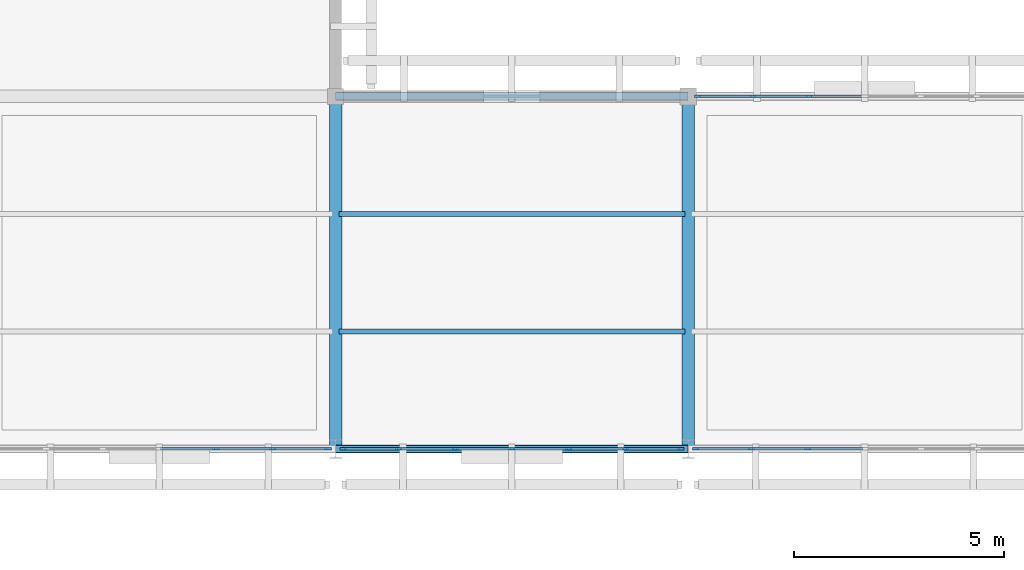
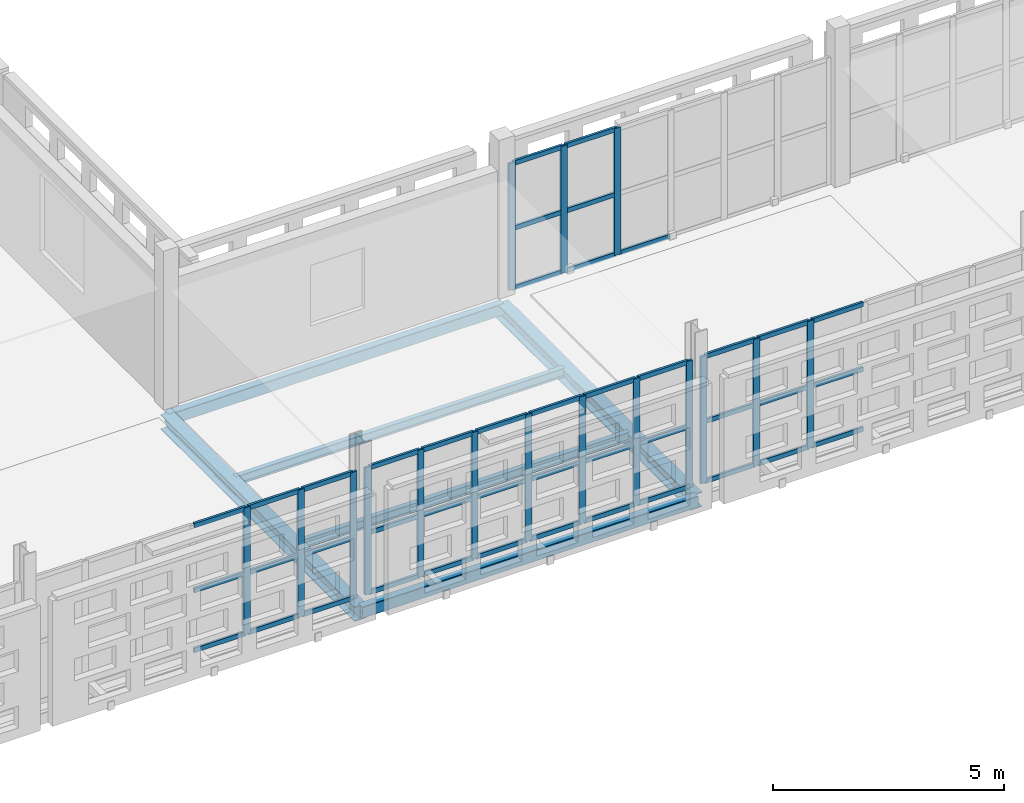
# One storey, part 43 of 166: 59 members, 6 beams, 4 elements without a shape of their own.
"""IFC4 building model written with IfcOpenShell, lengths in metres."""

from ifc_helpers import new_model, si_unit, direction, frame, origin, origin_2d, place, context, subcontext, project, spatial, rectangle, hollow_rectangle, i_section, extrude, material, layer, layer_set, material_profile, profile_set, type_object, element, aggregate, save


model = new_model("IFC4")

# Units and contexts
model_context = context("Model", 3, precision=1e-05, world=origin(), true_north=direction((0.0, 1.0)))
body_context = subcontext(model_context, "Body", "Model", "MODEL_VIEW")
ifc_project = project(units=[si_unit("LENGTHUNIT", "METRE"), si_unit("AREAUNIT", "SQUARE_METRE"), si_unit("VOLUMEUNIT", "CUBIC_METRE"), si_unit("PLANEANGLEUNIT", "RADIAN"), si_unit("MASSUNIT", "GRAM", prefix="KILO")], contexts=[model_context])

# Site, building, storey
site_placement = place(None, origin())
site = spatial("IfcSite", under=ifc_project, at=site_placement, CompositionType="ELEMENT")
building_placement = place(site_placement, origin())
building = spatial("IfcBuilding", under=site, at=building_placement, Name="Varnapada Polytechnic", CompositionType="ELEMENT")
storey_placement = place(building_placement, frame((0.0, 0.0, 9.60009765625)))
storey = spatial("IfcBuildingStorey", under=building, at=storey_placement, Name="L02", CompositionType="ELEMENT", Elevation=9.60009765625)

# Curtain wall, members
ifc_material_1 = material(Name="Double low-E laminated glass", Category="glass")
ifc_layer_1 = layer(ifc_material_1, 0.159912109375)
ifc_layer_set_1 = layer_set([ifc_layer_1], Name="Double low-E laminated glass")
curtain_wall_type_1 = type_object("IfcCurtainWallType", Name="Curtain Wall CW-01", PredefinedType="NOTDEFINED", material=ifc_layer_set_1)
curtain_wall_1_placement = place(storey_placement, origin())
curtain_wall_1 = element("IfcCurtainWall", 1, at=curtain_wall_1_placement, inside=storey, type_object=curtain_wall_type_1, Name="L02 unitised curtain wall CW-01 (162)", PredefinedType="NOTDEFINED")
ifc_material_2 = material(Name="Anodised aluminium", Category="aluminium")
ifc_material_profile_1 = material_profile(ifc_material_2, rectangle(XDim=0.06005859375, YDim=0.159912109375, at=origin_2d()), Name="ALU M60x160")
ifc_profile_set_1 = profile_set([ifc_material_profile_1], Name="Anodised aluminium")
member_type_1 = type_object("IfcMemberType", Name="Mullion M-01", PredefinedType="MULLION", material=ifc_profile_set_1)
member_1_placement = place(storey_placement, frame((67.02001953125, 84.0, 0.0), z_axis=(0.0, 0.0, 1.0), x_axis=(0.0, -1.0, 0.0)))
member_1 = element("IfcMember", 2, at=member_1_placement, type_object=member_type_1, Name="CW-01 mullion 1", PredefinedType="MULLION", context=body_context, shape_type="SweptSolid", body=[
    extrude(rectangle(XDim=0.06005859375, YDim=0.159912109375, at=origin_2d()), origin(), (0.0, 0.0, 1.0), 3.35986328125),
])
member_2_placement = place(storey_placement, frame((65.699951171875, 84.0, 0.0), z_axis=(0.0, 0.0, 1.0), x_axis=(0.0, -1.0, 0.0)))
member_2 = element("IfcMember", 3, at=member_2_placement, type_object=member_type_1, Name="CW-01 mullion 2", PredefinedType="MULLION", context=body_context, shape_type="SweptSolid", body=[
    extrude(rectangle(XDim=0.06005859375, YDim=0.159912109375, at=origin_2d()), origin(), (0.0, 0.0, 1.0), 3.35986328125),
])
member_3_placement = place(storey_placement, frame((64.35009765625, 84.0, 0.0), z_axis=(0.0, 0.0, 1.0), x_axis=(0.0, -1.0, 0.0)))
member_3 = element("IfcMember", 4, at=member_3_placement, type_object=member_type_1, Name="CW-01 mullion 3", PredefinedType="MULLION", context=body_context, shape_type="SweptSolid", body=[
    extrude(rectangle(XDim=0.06005859375, YDim=0.159912109375, at=origin_2d()), origin(), (0.0, 0.0, 1.0), 3.35986328125),
])

curtain_wall_2_placement = place(storey_placement, origin())
curtain_wall_2 = element("IfcCurtainWall", 5, at=curtain_wall_2_placement, inside=storey, type_object=curtain_wall_type_1, Name="L02 unitised curtain wall CW-01 (165)", PredefinedType="NOTDEFINED")
member_4_placement = place(storey_placement, frame((75.419921875, 84.0, 0.0), z_axis=(0.0, 0.0, 1.0), x_axis=(0.0, -1.0, 0.0)))
member_4 = element("IfcMember", 6, at=member_4_placement, type_object=member_type_1, Name="CW-01 mullion 1", PredefinedType="MULLION", context=body_context, shape_type="SweptSolid", body=[
    extrude(rectangle(XDim=0.06005859375, YDim=0.159912109375, at=origin_2d()), origin(), (0.0, 0.0, 1.0), 3.35986328125),
])
member_5_placement = place(storey_placement, frame((74.10009765625, 84.0, 0.0), z_axis=(0.0, 0.0, 1.0), x_axis=(0.0, -1.0, 0.0)))
member_5 = element("IfcMember", 7, at=member_5_placement, type_object=member_type_1, Name="CW-01 mullion 2", PredefinedType="MULLION", context=body_context, shape_type="SweptSolid", body=[
    extrude(rectangle(XDim=0.06005859375, YDim=0.159912109375, at=origin_2d()), origin(), (0.0, 0.0, 1.0), 3.35986328125),
])
member_6_placement = place(storey_placement, frame((72.75, 84.0, 0.0), z_axis=(0.0, 0.0, 1.0), x_axis=(0.0, -1.0, 0.0)))
member_6 = element("IfcMember", 8, at=member_6_placement, type_object=member_type_1, Name="CW-01 mullion 3", PredefinedType="MULLION", context=body_context, shape_type="SweptSolid", body=[
    extrude(rectangle(XDim=0.06005859375, YDim=0.159912109375, at=origin_2d()), origin(), (0.0, 0.0, 1.0), 3.35986328125),
])
member_7_placement = place(storey_placement, frame((71.39990234375, 84.0, 0.0), z_axis=(0.0, 0.0, 1.0), x_axis=(0.0, -1.0, 0.0)))
member_7 = element("IfcMember", 9, at=member_7_placement, type_object=member_type_1, Name="CW-01 mullion 4", PredefinedType="MULLION", context=body_context, shape_type="SweptSolid", body=[
    extrude(rectangle(XDim=0.06005859375, YDim=0.159912109375, at=origin_2d()), origin(), (0.0, 0.0, 1.0), 3.35986328125),
])
member_8_placement = place(storey_placement, frame((70.050048828125, 84.0, 0.0), z_axis=(0.0, 0.0, 1.0), x_axis=(0.0, -1.0, 0.0)))
member_8 = element("IfcMember", 10, at=member_8_placement, type_object=member_type_1, Name="CW-01 mullion 5", PredefinedType="MULLION", context=body_context, shape_type="SweptSolid", body=[
    extrude(rectangle(XDim=0.06005859375, YDim=0.159912109375, at=origin_2d()), origin(), (0.0, 0.0, 1.0), 3.35986328125),
])
member_9_placement = place(storey_placement, frame((68.699951171875, 84.0, 0.0), z_axis=(0.0, 0.0, 1.0), x_axis=(0.0, -1.0, 0.0)))
member_9 = element("IfcMember", 11, at=member_9_placement, type_object=member_type_1, Name="CW-01 mullion 6", PredefinedType="MULLION", context=body_context, shape_type="SweptSolid", body=[
    extrude(rectangle(XDim=0.06005859375, YDim=0.159912109375, at=origin_2d()), origin(), (0.0, 0.0, 1.0), 3.35986328125),
])
member_10_placement = place(storey_placement, frame((67.3798828125, 84.0, 0.0), z_axis=(0.0, 0.0, 1.0), x_axis=(0.0, -1.0, 0.0)))
member_10 = element("IfcMember", 12, at=member_10_placement, type_object=member_type_1, Name="CW-01 mullion 7", PredefinedType="MULLION", context=body_context, shape_type="SweptSolid", body=[
    extrude(rectangle(XDim=0.06005859375, YDim=0.159912109375, at=origin_2d()), origin(), (0.0, 0.0, 1.0), 3.35986328125),
])

curtain_wall_3_placement = place(storey_placement, origin())
curtain_wall_3 = element("IfcCurtainWall", 13, at=curtain_wall_3_placement, inside=storey, type_object=curtain_wall_type_1, Name="L02 unitised curtain wall CW-01 (166)", PredefinedType="NOTDEFINED")
member_11_placement = place(storey_placement, frame((78.449951171875, 84.0, 0.0), z_axis=(0.0, 0.0, 1.0), x_axis=(0.0, -1.0, 0.0)))
member_11 = element("IfcMember", 14, at=member_11_placement, type_object=member_type_1, Name="CW-01 mullion 5", PredefinedType="MULLION", context=body_context, shape_type="SweptSolid", body=[
    extrude(rectangle(XDim=0.06005859375, YDim=0.159912109375, at=origin_2d()), origin(), (0.0, 0.0, 1.0), 3.35986328125),
])
member_12_placement = place(storey_placement, frame((77.10009765625, 84.0, 0.0), z_axis=(0.0, 0.0, 1.0), x_axis=(0.0, -1.0, 0.0)))
member_12 = element("IfcMember", 15, at=member_12_placement, type_object=member_type_1, Name="CW-01 mullion 6", PredefinedType="MULLION", context=body_context, shape_type="SweptSolid", body=[
    extrude(rectangle(XDim=0.06005859375, YDim=0.159912109375, at=origin_2d()), origin(), (0.0, 0.0, 1.0), 3.35986328125),
])
member_13_placement = place(storey_placement, frame((75.780029296875, 84.0, 0.0), z_axis=(0.0, 0.0, 1.0), x_axis=(0.0, -1.0, 0.0)))
member_13 = element("IfcMember", 16, at=member_13_placement, type_object=member_type_1, Name="CW-01 mullion 7", PredefinedType="MULLION", context=body_context, shape_type="SweptSolid", body=[
    extrude(rectangle(XDim=0.06005859375, YDim=0.159912109375, at=origin_2d()), origin(), (0.0, 0.0, 1.0), 3.35986328125),
])

ifc_layer_2 = layer(ifc_material_1, 0.159912109375)
ifc_layer_set_2 = layer_set([ifc_layer_2], Name="Double low-E laminated glass")
curtain_wall_type_2 = type_object("IfcCurtainWallType", Name="Curtain Wall CW-02", PredefinedType="NOTDEFINED", material=ifc_layer_set_2)
curtain_wall_4_placement = place(storey_placement, origin())
curtain_wall_4 = element("IfcCurtainWall", 17, at=curtain_wall_4_placement, inside=storey, type_object=curtain_wall_type_2, Name="L02 unitised curtain wall CW-02 (167)", PredefinedType="NOTDEFINED")
member_14_placement = place(storey_placement, frame((75.830078125, 92.39990234375, 0.0), z_axis=(0.0, 0.0, 1.0), x_axis=(0.0, 1.0, 0.0)))
member_14 = element("IfcMember", 18, at=member_14_placement, type_object=member_type_1, Name="CW-02 mullion 1", PredefinedType="MULLION", context=body_context, shape_type="SweptSolid", body=[
    extrude(rectangle(XDim=0.06005859375, YDim=0.159912109375, at=origin_2d()), origin(), (0.0, 0.0, 1.0), 3.35986328125),
])
member_15_placement = place(storey_placement, frame((77.135009765625, 92.39990234375, 0.0), z_axis=(0.0, 0.0, 1.0), x_axis=(0.0, 1.0, 0.0)))
member_15 = element("IfcMember", 19, at=member_15_placement, type_object=member_type_1, Name="CW-02 mullion 2", PredefinedType="MULLION", context=body_context, shape_type="SweptSolid", body=[
    extrude(rectangle(XDim=0.06005859375, YDim=0.159912109375, at=origin_2d()), origin(), (0.0, 0.0, 1.0), 3.35986328125),
])
member_16_placement = place(storey_placement, frame((78.469970703125, 92.39990234375, 0.0), z_axis=(0.0, 0.0, 1.0), x_axis=(0.0, 1.0, 0.0)))
member_16 = element("IfcMember", 20, at=member_16_placement, type_object=member_type_1, Name="CW-02 mullion 3", PredefinedType="MULLION", context=body_context, shape_type="SweptSolid", body=[
    extrude(rectangle(XDim=0.06005859375, YDim=0.159912109375, at=origin_2d()), origin(), (0.0, 0.0, 1.0), 3.35986328125),
])

# Beams
ifc_material_3 = material(Name="Steel S355", Category="steel")
ifc_material_profile_2 = material_profile(ifc_material_3, i_section(OverallWidth=0.300048828125, OverallDepth=0.389892578125, WebThickness=0.010986328125, FlangeThickness=0.01904296875, FilletRadius=0.027099609375, at=origin_2d()), Name="HEA 400")
ifc_profile_set_2 = profile_set([ifc_material_profile_2], Name="Steel S355")
beam_type_1 = type_object("IfcBeamType", Name="Steel roof primary girder SG-01 (HEA 400)", PredefinedType="BEAM", material=ifc_profile_set_2)
for number, where, z_axis, x_axis, name in (
    (21, (67.199951171875, 84.0, -0.43505859375), (0.0, 1.0, 0.0), (-1.0, 0.0, 0.0), "L02 beam Y 11-12 at X9"),
    (22, (75.60009765625, 84.0, -0.43505859375), (0.0, 1.0, 0.0), (-1.0, 0.0, 0.0), "L02 beam Y 11-12 at X10"),
):
    element("IfcBeam", number, at=place(storey_placement, frame(where, z_axis=z_axis, x_axis=x_axis)), inside=storey, type_object=beam_type_1, Name=name, PredefinedType="BEAM", context=body_context, shape_type="SweptSolid", body=[
        extrude(i_section(OverallWidth=0.300048828125, OverallDepth=0.389892578125, WebThickness=0.010986328125, FlangeThickness=0.01904296875, FilletRadius=0.027099609375, at=origin_2d()), origin(), (0.0, 0.0, 1.0), 8.39990234375),
    ])

# Member
ifc_material_profile_3 = material_profile(ifc_material_2, rectangle(XDim=0.06005859375, YDim=0.1201171875, at=origin_2d()), Name="ALU T60x120")
ifc_profile_set_3 = profile_set([ifc_material_profile_3], Name="Anodised aluminium")
member_type_2 = type_object("IfcMemberType", Name="Transom T-01", PredefinedType="USERDEFINED", material=ifc_profile_set_3)
member_17_placement = place(storey_placement, frame((66.989990234375, 84.0, 0.02978515625), z_axis=(-1.0, 0.0, 0.0), x_axis=(0.0, -1.0, 0.0)))
member_17 = element("IfcMember", 23, at=member_17_placement, type_object=member_type_2, Name="CW-01 transom 1.1", ObjectType="TRANSOM", PredefinedType="USERDEFINED", context=body_context, shape_type="SweptSolid", body=[
    extrude(rectangle(XDim=0.06005859375, YDim=0.1201171875, at=origin_2d()), origin(), (0.0, 0.0, 1.0), 1.260009765625),
])

member_18_placement = place(storey_placement, frame((66.989990234375, 84.0, 1.61279296875), z_axis=(-1.0, 0.0, 0.0), x_axis=(0.0, -1.0, 0.0)))
member_18 = element("IfcMember", 24, at=member_18_placement, type_object=member_type_2, Name="CW-01 transom 1.2", ObjectType="TRANSOM", PredefinedType="USERDEFINED", context=body_context, shape_type="SweptSolid", body=[
    extrude(rectangle(XDim=0.06005859375, YDim=0.1201171875, at=origin_2d()), origin(), (0.0, 0.0, 1.0), 1.260009765625),
])

member_19_placement = place(storey_placement, frame((66.989990234375, 84.0, 3.329833984375), z_axis=(-1.0, 0.0, 0.0), x_axis=(0.0, -1.0, 0.0)))
member_19 = element("IfcMember", 25, at=member_19_placement, type_object=member_type_2, Name="CW-01 transom 1.3", ObjectType="TRANSOM", PredefinedType="USERDEFINED", context=body_context, shape_type="SweptSolid", body=[
    extrude(rectangle(XDim=0.06005859375, YDim=0.1201171875, at=origin_2d()), origin(), (0.0, 0.0, 1.0), 1.260009765625),
])

member_20_placement = place(storey_placement, frame((65.669921875, 84.0, 0.02978515625), z_axis=(-1.0, 0.0, 0.0), x_axis=(0.0, -1.0, 0.0)))
member_20 = element("IfcMember", 26, at=member_20_placement, type_object=member_type_2, Name="CW-01 transom 2.1", ObjectType="TRANSOM", PredefinedType="USERDEFINED", context=body_context, shape_type="SweptSolid", body=[
    extrude(rectangle(XDim=0.06005859375, YDim=0.1201171875, at=origin_2d()), origin(), (0.0, 0.0, 1.0), 1.2900390625),
])

member_21_placement = place(storey_placement, frame((65.669921875, 84.0, 1.61279296875), z_axis=(-1.0, 0.0, 0.0), x_axis=(0.0, -1.0, 0.0)))
member_21 = element("IfcMember", 27, at=member_21_placement, type_object=member_type_2, Name="CW-01 transom 2.2", ObjectType="TRANSOM", PredefinedType="USERDEFINED", context=body_context, shape_type="SweptSolid", body=[
    extrude(rectangle(XDim=0.06005859375, YDim=0.1201171875, at=origin_2d()), origin(), (0.0, 0.0, 1.0), 1.2900390625),
])

member_22_placement = place(storey_placement, frame((65.669921875, 84.0, 3.329833984375), z_axis=(-1.0, 0.0, 0.0), x_axis=(0.0, -1.0, 0.0)))
member_22 = element("IfcMember", 28, at=member_22_placement, type_object=member_type_2, Name="CW-01 transom 2.3", ObjectType="TRANSOM", PredefinedType="USERDEFINED", context=body_context, shape_type="SweptSolid", body=[
    extrude(rectangle(XDim=0.06005859375, YDim=0.1201171875, at=origin_2d()), origin(), (0.0, 0.0, 1.0), 1.2900390625),
])

member_23_placement = place(storey_placement, frame((64.320068359375, 84.0, 0.02978515625), z_axis=(-1.0, 0.0, 0.0), x_axis=(0.0, -1.0, 0.0)))
member_23 = element("IfcMember", 29, at=member_23_placement, type_object=member_type_2, Name="CW-01 transom 3.1", ObjectType="TRANSOM", PredefinedType="USERDEFINED", context=body_context, shape_type="SweptSolid", body=[
    extrude(rectangle(XDim=0.06005859375, YDim=0.1201171875, at=origin_2d()), origin(), (0.0, 0.0, 1.0), 1.2900390625),
])

member_24_placement = place(storey_placement, frame((64.320068359375, 84.0, 1.61279296875), z_axis=(-1.0, 0.0, 0.0), x_axis=(0.0, -1.0, 0.0)))
member_24 = element("IfcMember", 30, at=member_24_placement, type_object=member_type_2, Name="CW-01 transom 3.2", ObjectType="TRANSOM", PredefinedType="USERDEFINED", context=body_context, shape_type="SweptSolid", body=[
    extrude(rectangle(XDim=0.06005859375, YDim=0.1201171875, at=origin_2d()), origin(), (0.0, 0.0, 1.0), 1.2900390625),
])

member_25_placement = place(storey_placement, frame((64.320068359375, 84.0, 3.329833984375), z_axis=(-1.0, 0.0, 0.0), x_axis=(0.0, -1.0, 0.0)))
member_25 = element("IfcMember", 31, at=member_25_placement, type_object=member_type_2, Name="CW-01 transom 3.3", ObjectType="TRANSOM", PredefinedType="USERDEFINED", context=body_context, shape_type="SweptSolid", body=[
    extrude(rectangle(XDim=0.06005859375, YDim=0.1201171875, at=origin_2d()), origin(), (0.0, 0.0, 1.0), 1.2900390625),
])

aggregate(curtain_wall_1, [member_1, member_2, member_3, member_17, member_18, member_19, member_20, member_21, member_22, member_23, member_24, member_25])

member_26_placement = place(storey_placement, frame((75.389892578125, 84.0, 0.02978515625), z_axis=(-1.0, 0.0, 0.0), x_axis=(0.0, -1.0, 0.0)))
member_26 = element("IfcMember", 32, at=member_26_placement, type_object=member_type_2, Name="CW-01 transom 1.1", ObjectType="TRANSOM", PredefinedType="USERDEFINED", context=body_context, shape_type="SweptSolid", body=[
    extrude(rectangle(XDim=0.06005859375, YDim=0.1201171875, at=origin_2d()), origin(), (0.0, 0.0, 1.0), 1.260009765625),
])

member_27_placement = place(storey_placement, frame((75.389892578125, 84.0, 1.61279296875), z_axis=(-1.0, 0.0, 0.0), x_axis=(0.0, -1.0, 0.0)))
member_27 = element("IfcMember", 33, at=member_27_placement, type_object=member_type_2, Name="CW-01 transom 1.2", ObjectType="TRANSOM", PredefinedType="USERDEFINED", context=body_context, shape_type="SweptSolid", body=[
    extrude(rectangle(XDim=0.06005859375, YDim=0.1201171875, at=origin_2d()), origin(), (0.0, 0.0, 1.0), 1.260009765625),
])

member_28_placement = place(storey_placement, frame((75.389892578125, 84.0, 3.329833984375), z_axis=(-1.0, 0.0, 0.0), x_axis=(0.0, -1.0, 0.0)))
member_28 = element("IfcMember", 34, at=member_28_placement, type_object=member_type_2, Name="CW-01 transom 1.3", ObjectType="TRANSOM", PredefinedType="USERDEFINED", context=body_context, shape_type="SweptSolid", body=[
    extrude(rectangle(XDim=0.06005859375, YDim=0.1201171875, at=origin_2d()), origin(), (0.0, 0.0, 1.0), 1.260009765625),
])

member_29_placement = place(storey_placement, frame((74.070068359375, 84.0, 0.02978515625), z_axis=(-1.0, 0.0, 0.0), x_axis=(0.0, -1.0, 0.0)))
member_29 = element("IfcMember", 35, at=member_29_placement, type_object=member_type_2, Name="CW-01 transom 2.1", ObjectType="TRANSOM", PredefinedType="USERDEFINED", context=body_context, shape_type="SweptSolid", body=[
    extrude(rectangle(XDim=0.06005859375, YDim=0.1201171875, at=origin_2d()), origin(), (0.0, 0.0, 1.0), 1.2900390625),
])

member_30_placement = place(storey_placement, frame((74.070068359375, 84.0, 1.61279296875), z_axis=(-1.0, 0.0, 0.0), x_axis=(0.0, -1.0, 0.0)))
member_30 = element("IfcMember", 36, at=member_30_placement, type_object=member_type_2, Name="CW-01 transom 2.2", ObjectType="TRANSOM", PredefinedType="USERDEFINED", context=body_context, shape_type="SweptSolid", body=[
    extrude(rectangle(XDim=0.06005859375, YDim=0.1201171875, at=origin_2d()), origin(), (0.0, 0.0, 1.0), 1.2900390625),
])

member_31_placement = place(storey_placement, frame((74.070068359375, 84.0, 3.329833984375), z_axis=(-1.0, 0.0, 0.0), x_axis=(0.0, -1.0, 0.0)))
member_31 = element("IfcMember", 37, at=member_31_placement, type_object=member_type_2, Name="CW-01 transom 2.3", ObjectType="TRANSOM", PredefinedType="USERDEFINED", context=body_context, shape_type="SweptSolid", body=[
    extrude(rectangle(XDim=0.06005859375, YDim=0.1201171875, at=origin_2d()), origin(), (0.0, 0.0, 1.0), 1.2900390625),
])

member_32_placement = place(storey_placement, frame((72.719970703125, 84.0, 0.02978515625), z_axis=(-1.0, 0.0, 0.0), x_axis=(0.0, -1.0, 0.0)))
member_32 = element("IfcMember", 38, at=member_32_placement, type_object=member_type_2, Name="CW-01 transom 3.1", ObjectType="TRANSOM", PredefinedType="USERDEFINED", context=body_context, shape_type="SweptSolid", body=[
    extrude(rectangle(XDim=0.06005859375, YDim=0.1201171875, at=origin_2d()), origin(), (0.0, 0.0, 1.0), 1.2900390625),
])

member_33_placement = place(storey_placement, frame((72.719970703125, 84.0, 1.61279296875), z_axis=(-1.0, 0.0, 0.0), x_axis=(0.0, -1.0, 0.0)))
member_33 = element("IfcMember", 39, at=member_33_placement, type_object=member_type_2, Name="CW-01 transom 3.2", ObjectType="TRANSOM", PredefinedType="USERDEFINED", context=body_context, shape_type="SweptSolid", body=[
    extrude(rectangle(XDim=0.06005859375, YDim=0.1201171875, at=origin_2d()), origin(), (0.0, 0.0, 1.0), 1.2900390625),
])

member_34_placement = place(storey_placement, frame((72.719970703125, 84.0, 3.329833984375), z_axis=(-1.0, 0.0, 0.0), x_axis=(0.0, -1.0, 0.0)))
member_34 = element("IfcMember", 40, at=member_34_placement, type_object=member_type_2, Name="CW-01 transom 3.3", ObjectType="TRANSOM", PredefinedType="USERDEFINED", context=body_context, shape_type="SweptSolid", body=[
    extrude(rectangle(XDim=0.06005859375, YDim=0.1201171875, at=origin_2d()), origin(), (0.0, 0.0, 1.0), 1.2900390625),
])

member_35_placement = place(storey_placement, frame((71.3701171875, 84.0, 0.02978515625), z_axis=(-1.0, 0.0, 0.0), x_axis=(0.0, -1.0, 0.0)))
member_35 = element("IfcMember", 41, at=member_35_placement, type_object=member_type_2, Name="CW-01 transom 4.1", ObjectType="TRANSOM", PredefinedType="USERDEFINED", context=body_context, shape_type="SweptSolid", body=[
    extrude(rectangle(XDim=0.06005859375, YDim=0.1201171875, at=origin_2d()), origin(), (0.0, 0.0, 1.0), 1.2900390625),
])

member_36_placement = place(storey_placement, frame((71.3701171875, 84.0, 1.61279296875), z_axis=(-1.0, 0.0, 0.0), x_axis=(0.0, -1.0, 0.0)))
member_36 = element("IfcMember", 42, at=member_36_placement, type_object=member_type_2, Name="CW-01 transom 4.2", ObjectType="TRANSOM", PredefinedType="USERDEFINED", context=body_context, shape_type="SweptSolid", body=[
    extrude(rectangle(XDim=0.06005859375, YDim=0.1201171875, at=origin_2d()), origin(), (0.0, 0.0, 1.0), 1.2900390625),
])

member_37_placement = place(storey_placement, frame((71.3701171875, 84.0, 3.329833984375), z_axis=(-1.0, 0.0, 0.0), x_axis=(0.0, -1.0, 0.0)))
member_37 = element("IfcMember", 43, at=member_37_placement, type_object=member_type_2, Name="CW-01 transom 4.3", ObjectType="TRANSOM", PredefinedType="USERDEFINED", context=body_context, shape_type="SweptSolid", body=[
    extrude(rectangle(XDim=0.06005859375, YDim=0.1201171875, at=origin_2d()), origin(), (0.0, 0.0, 1.0), 1.2900390625),
])

member_38_placement = place(storey_placement, frame((70.02001953125, 84.0, 0.02978515625), z_axis=(-1.0, 0.0, 0.0), x_axis=(0.0, -1.0, 0.0)))
member_38 = element("IfcMember", 44, at=member_38_placement, type_object=member_type_2, Name="CW-01 transom 5.1", ObjectType="TRANSOM", PredefinedType="USERDEFINED", context=body_context, shape_type="SweptSolid", body=[
    extrude(rectangle(XDim=0.06005859375, YDim=0.1201171875, at=origin_2d()), origin(), (0.0, 0.0, 1.0), 1.2900390625),
])

member_39_placement = place(storey_placement, frame((70.02001953125, 84.0, 1.61279296875), z_axis=(-1.0, 0.0, 0.0), x_axis=(0.0, -1.0, 0.0)))
member_39 = element("IfcMember", 45, at=member_39_placement, type_object=member_type_2, Name="CW-01 transom 5.2", ObjectType="TRANSOM", PredefinedType="USERDEFINED", context=body_context, shape_type="SweptSolid", body=[
    extrude(rectangle(XDim=0.06005859375, YDim=0.1201171875, at=origin_2d()), origin(), (0.0, 0.0, 1.0), 1.2900390625),
])

member_40_placement = place(storey_placement, frame((70.02001953125, 84.0, 3.329833984375), z_axis=(-1.0, 0.0, 0.0), x_axis=(0.0, -1.0, 0.0)))
member_40 = element("IfcMember", 46, at=member_40_placement, type_object=member_type_2, Name="CW-01 transom 5.3", ObjectType="TRANSOM", PredefinedType="USERDEFINED", context=body_context, shape_type="SweptSolid", body=[
    extrude(rectangle(XDim=0.06005859375, YDim=0.1201171875, at=origin_2d()), origin(), (0.0, 0.0, 1.0), 1.2900390625),
])

member_41_placement = place(storey_placement, frame((68.669921875, 84.0, 0.02978515625), z_axis=(-1.0, 0.0, 0.0), x_axis=(0.0, -1.0, 0.0)))
member_41 = element("IfcMember", 47, at=member_41_placement, type_object=member_type_2, Name="CW-01 transom 6.1", ObjectType="TRANSOM", PredefinedType="USERDEFINED", context=body_context, shape_type="SweptSolid", body=[
    extrude(rectangle(XDim=0.06005859375, YDim=0.1201171875, at=origin_2d()), origin(), (0.0, 0.0, 1.0), 1.260009765625),
])

member_42_placement = place(storey_placement, frame((68.669921875, 84.0, 1.61279296875), z_axis=(-1.0, 0.0, 0.0), x_axis=(0.0, -1.0, 0.0)))
member_42 = element("IfcMember", 48, at=member_42_placement, type_object=member_type_2, Name="CW-01 transom 6.2", ObjectType="TRANSOM", PredefinedType="USERDEFINED", context=body_context, shape_type="SweptSolid", body=[
    extrude(rectangle(XDim=0.06005859375, YDim=0.1201171875, at=origin_2d()), origin(), (0.0, 0.0, 1.0), 1.260009765625),
])

member_43_placement = place(storey_placement, frame((68.669921875, 84.0, 3.329833984375), z_axis=(-1.0, 0.0, 0.0), x_axis=(0.0, -1.0, 0.0)))
member_43 = element("IfcMember", 49, at=member_43_placement, type_object=member_type_2, Name="CW-01 transom 6.3", ObjectType="TRANSOM", PredefinedType="USERDEFINED", context=body_context, shape_type="SweptSolid", body=[
    extrude(rectangle(XDim=0.06005859375, YDim=0.1201171875, at=origin_2d()), origin(), (0.0, 0.0, 1.0), 1.260009765625),
])

aggregate(curtain_wall_2, [member_4, member_5, member_6, member_7, member_8, member_9, member_10, member_26, member_27, member_28, member_29, member_30, member_31, member_32, member_33, member_34, member_35, member_36, member_37, member_38, member_39, member_40, member_41, member_42, member_43])

member_44_placement = place(storey_placement, frame((79.77001953125, 84.0, 0.02978515625), z_axis=(-1.0, 0.0, 0.0), x_axis=(0.0, -1.0, 0.0)))
member_44 = element("IfcMember", 50, at=member_44_placement, type_object=member_type_2, Name="CW-01 transom 4.1", ObjectType="TRANSOM", PredefinedType="USERDEFINED", context=body_context, shape_type="SweptSolid", body=[
    extrude(rectangle(XDim=0.06005859375, YDim=0.1201171875, at=origin_2d()), origin(), (0.0, 0.0, 1.0), 1.2900390625),
])

member_45_placement = place(storey_placement, frame((79.77001953125, 84.0, 1.61279296875), z_axis=(-1.0, 0.0, 0.0), x_axis=(0.0, -1.0, 0.0)))
member_45 = element("IfcMember", 51, at=member_45_placement, type_object=member_type_2, Name="CW-01 transom 4.2", ObjectType="TRANSOM", PredefinedType="USERDEFINED", context=body_context, shape_type="SweptSolid", body=[
    extrude(rectangle(XDim=0.06005859375, YDim=0.1201171875, at=origin_2d()), origin(), (0.0, 0.0, 1.0), 1.2900390625),
])

member_46_placement = place(storey_placement, frame((79.77001953125, 84.0, 3.329833984375), z_axis=(-1.0, 0.0, 0.0), x_axis=(0.0, -1.0, 0.0)))
member_46 = element("IfcMember", 52, at=member_46_placement, type_object=member_type_2, Name="CW-01 transom 4.3", ObjectType="TRANSOM", PredefinedType="USERDEFINED", context=body_context, shape_type="SweptSolid", body=[
    extrude(rectangle(XDim=0.06005859375, YDim=0.1201171875, at=origin_2d()), origin(), (0.0, 0.0, 1.0), 1.2900390625),
])

member_47_placement = place(storey_placement, frame((78.419921875, 84.0, 0.02978515625), z_axis=(-1.0, 0.0, 0.0), x_axis=(0.0, -1.0, 0.0)))
member_47 = element("IfcMember", 53, at=member_47_placement, type_object=member_type_2, Name="CW-01 transom 5.1", ObjectType="TRANSOM", PredefinedType="USERDEFINED", context=body_context, shape_type="SweptSolid", body=[
    extrude(rectangle(XDim=0.06005859375, YDim=0.1201171875, at=origin_2d()), origin(), (0.0, 0.0, 1.0), 1.2900390625),
])

member_48_placement = place(storey_placement, frame((78.419921875, 84.0, 1.61279296875), z_axis=(-1.0, 0.0, 0.0), x_axis=(0.0, -1.0, 0.0)))
member_48 = element("IfcMember", 54, at=member_48_placement, type_object=member_type_2, Name="CW-01 transom 5.2", ObjectType="TRANSOM", PredefinedType="USERDEFINED", context=body_context, shape_type="SweptSolid", body=[
    extrude(rectangle(XDim=0.06005859375, YDim=0.1201171875, at=origin_2d()), origin(), (0.0, 0.0, 1.0), 1.2900390625),
])

member_49_placement = place(storey_placement, frame((78.419921875, 84.0, 3.329833984375), z_axis=(-1.0, 0.0, 0.0), x_axis=(0.0, -1.0, 0.0)))
member_49 = element("IfcMember", 55, at=member_49_placement, type_object=member_type_2, Name="CW-01 transom 5.3", ObjectType="TRANSOM", PredefinedType="USERDEFINED", context=body_context, shape_type="SweptSolid", body=[
    extrude(rectangle(XDim=0.06005859375, YDim=0.1201171875, at=origin_2d()), origin(), (0.0, 0.0, 1.0), 1.2900390625),
])

member_50_placement = place(storey_placement, frame((77.070068359375, 84.0, 0.02978515625), z_axis=(-1.0, 0.0, 0.0), x_axis=(0.0, -1.0, 0.0)))
member_50 = element("IfcMember", 56, at=member_50_placement, type_object=member_type_2, Name="CW-01 transom 6.1", ObjectType="TRANSOM", PredefinedType="USERDEFINED", context=body_context, shape_type="SweptSolid", body=[
    extrude(rectangle(XDim=0.06005859375, YDim=0.1201171875, at=origin_2d()), origin(), (0.0, 0.0, 1.0), 1.260009765625),
])

member_51_placement = place(storey_placement, frame((77.070068359375, 84.0, 1.61279296875), z_axis=(-1.0, 0.0, 0.0), x_axis=(0.0, -1.0, 0.0)))
member_51 = element("IfcMember", 57, at=member_51_placement, type_object=member_type_2, Name="CW-01 transom 6.2", ObjectType="TRANSOM", PredefinedType="USERDEFINED", context=body_context, shape_type="SweptSolid", body=[
    extrude(rectangle(XDim=0.06005859375, YDim=0.1201171875, at=origin_2d()), origin(), (0.0, 0.0, 1.0), 1.260009765625),
])

member_52_placement = place(storey_placement, frame((77.070068359375, 84.0, 3.329833984375), z_axis=(-1.0, 0.0, 0.0), x_axis=(0.0, -1.0, 0.0)))
member_52 = element("IfcMember", 58, at=member_52_placement, type_object=member_type_2, Name="CW-01 transom 6.3", ObjectType="TRANSOM", PredefinedType="USERDEFINED", context=body_context, shape_type="SweptSolid", body=[
    extrude(rectangle(XDim=0.06005859375, YDim=0.1201171875, at=origin_2d()), origin(), (0.0, 0.0, 1.0), 1.260009765625),
])

aggregate(curtain_wall_3, [member_11, member_12, member_13, member_44, member_45, member_46, member_47, member_48, member_49, member_50, member_51, member_52])

member_53_placement = place(storey_placement, frame((75.860107421875, 92.39990234375, 0.02978515625), z_axis=(1.0, 0.0, 0.0), x_axis=(0.0, 1.0, 0.0)))
member_53 = element("IfcMember", 59, at=member_53_placement, type_object=member_type_2, Name="CW-02 transom 1.1", ObjectType="TRANSOM", PredefinedType="USERDEFINED", context=body_context, shape_type="SweptSolid", body=[
    extrude(rectangle(XDim=0.06005859375, YDim=0.1201171875, at=origin_2d()), origin(), (0.0, 0.0, 1.0), 1.244873046875),
])

member_54_placement = place(storey_placement, frame((75.860107421875, 92.39990234375, 1.61279296875), z_axis=(1.0, 0.0, 0.0), x_axis=(0.0, 1.0, 0.0)))
member_54 = element("IfcMember", 60, at=member_54_placement, type_object=member_type_2, Name="CW-02 transom 1.2", ObjectType="TRANSOM", PredefinedType="USERDEFINED", context=body_context, shape_type="SweptSolid", body=[
    extrude(rectangle(XDim=0.06005859375, YDim=0.1201171875, at=origin_2d()), origin(), (0.0, 0.0, 1.0), 1.244873046875),
])

member_55_placement = place(storey_placement, frame((75.860107421875, 92.39990234375, 3.329833984375), z_axis=(1.0, 0.0, 0.0), x_axis=(0.0, 1.0, 0.0)))
member_55 = element("IfcMember", 61, at=member_55_placement, type_object=member_type_2, Name="CW-02 transom 1.3", ObjectType="TRANSOM", PredefinedType="USERDEFINED", context=body_context, shape_type="SweptSolid", body=[
    extrude(rectangle(XDim=0.06005859375, YDim=0.1201171875, at=origin_2d()), origin(), (0.0, 0.0, 1.0), 1.244873046875),
])

member_56_placement = place(storey_placement, frame((77.1650390625, 92.39990234375, 0.02978515625), z_axis=(1.0, 0.0, 0.0), x_axis=(0.0, 1.0, 0.0)))
member_56 = element("IfcMember", 62, at=member_56_placement, type_object=member_type_2, Name="CW-02 transom 2.1", ObjectType="TRANSOM", PredefinedType="USERDEFINED", context=body_context, shape_type="SweptSolid", body=[
    extrude(rectangle(XDim=0.06005859375, YDim=0.1201171875, at=origin_2d()), origin(), (0.0, 0.0, 1.0), 1.27490234375),
])

member_57_placement = place(storey_placement, frame((77.1650390625, 92.39990234375, 1.61279296875), z_axis=(1.0, 0.0, 0.0), x_axis=(0.0, 1.0, 0.0)))
member_57 = element("IfcMember", 63, at=member_57_placement, type_object=member_type_2, Name="CW-02 transom 2.2", ObjectType="TRANSOM", PredefinedType="USERDEFINED", context=body_context, shape_type="SweptSolid", body=[
    extrude(rectangle(XDim=0.06005859375, YDim=0.1201171875, at=origin_2d()), origin(), (0.0, 0.0, 1.0), 1.27490234375),
])

member_58_placement = place(storey_placement, frame((77.1650390625, 92.39990234375, 3.329833984375), z_axis=(1.0, 0.0, 0.0), x_axis=(0.0, 1.0, 0.0)))
member_58 = element("IfcMember", 64, at=member_58_placement, type_object=member_type_2, Name="CW-02 transom 2.3", ObjectType="TRANSOM", PredefinedType="USERDEFINED", context=body_context, shape_type="SweptSolid", body=[
    extrude(rectangle(XDim=0.06005859375, YDim=0.1201171875, at=origin_2d()), origin(), (0.0, 0.0, 1.0), 1.27490234375),
])

member_59_placement = place(storey_placement, frame((78.5, 92.39990234375, 0.02978515625), z_axis=(1.0, 0.0, 0.0), x_axis=(0.0, 1.0, 0.0)))
member_59 = element("IfcMember", 65, at=member_59_placement, type_object=member_type_2, Name="CW-02 transom 3.1", ObjectType="TRANSOM", PredefinedType="USERDEFINED", context=body_context, shape_type="SweptSolid", body=[
    extrude(rectangle(XDim=0.06005859375, YDim=0.1201171875, at=origin_2d()), origin(), (0.0, 0.0, 1.0), 1.27490234375),
])

aggregate(curtain_wall_4, [member_14, member_15, member_16, member_53, member_54, member_55, member_56, member_57, member_58, member_59])

# Beams
ifc_material_profile_4 = material_profile(ifc_material_3, i_section(OverallWidth=0.1201171875, OverallDepth=0.239990234375, WebThickness=0.006103515625, FlangeThickness=0.009765625, FilletRadius=0.014892578125, at=origin_2d()), Name="IPE 240")
ifc_profile_set_4 = profile_set([ifc_material_profile_4], Name="Steel S355")
beam_type_2 = type_object("IfcBeamType", Name="Workshop gallery composite joist SJ-01 (IPE 240)", PredefinedType="JOIST", material=ifc_profile_set_4)
for number, where, z_axis, x_axis, name in (
    (66, (67.280029296875, 86.800048828125, -0.360107421875), (1.0, 0.0, 0.0), (0.0, 1.0, 0.0), "L02 floor joist 9/11.1"),
    (67, (67.280029296875, 89.60009765625, -0.360107421875), (1.0, 0.0, 0.0), (0.0, 1.0, 0.0), "L02 floor joist 9/11.2"),
):
    element("IfcBeam", number, at=place(storey_placement, frame(where, z_axis=z_axis, x_axis=x_axis)), inside=storey, type_object=beam_type_2, Name=name, PredefinedType="JOIST", context=body_context, shape_type="SweptSolid", body=[
        extrude(i_section(OverallWidth=0.1201171875, OverallDepth=0.239990234375, WebThickness=0.006103515625, FlangeThickness=0.009765625, FilletRadius=0.014892578125, at=origin_2d()), origin(), (0.0, 0.0, 1.0), 8.239990234375),
    ])
ifc_material_profile_5 = material_profile(ifc_material_3, hollow_rectangle(XDim=0.199951171875, YDim=0.300048828125, WallThickness=0.010009765625, InnerFilletRadius=0.010009765625, OuterFilletRadius=0.02001953125, at=origin_2d()), Name="RHS 300x200x10")
ifc_profile_set_5 = profile_set([ifc_material_profile_5], Name="Steel S355")
beam_type_3 = type_object("IfcBeamType", Name="Workshop steel spandrel tie SP-03 (RHS 300x200x10)", PredefinedType="SPANDREL", material=ifc_profile_set_5)
for number, where, z_axis, x_axis, name in (
    (68, (67.199951171875, 84.0, -0.39013671875), (1.0, 0.0, 0.0), (0.0, 1.0, 0.0), "L02 beam X 9-10 at Y11"),
    (69, (67.199951171875, 92.39990234375, -0.39013671875), (1.0, 0.0, 0.0), (0.0, 1.0, 0.0), "L02 beam X 9-10 at Y12"),
):
    element("IfcBeam", number, at=place(storey_placement, frame(where, z_axis=z_axis, x_axis=x_axis)), inside=storey, type_object=beam_type_3, Name=name, PredefinedType="SPANDREL", context=body_context, shape_type="SweptSolid", body=[
        extrude(hollow_rectangle(XDim=0.199951171875, YDim=0.300048828125, WallThickness=0.010009765625, InnerFilletRadius=0.010009765625, OuterFilletRadius=0.02001953125, at=origin_2d()), origin(), (0.0, 0.0, 1.0), 8.400146484375),
    ])

save(model, "model.ifc")
